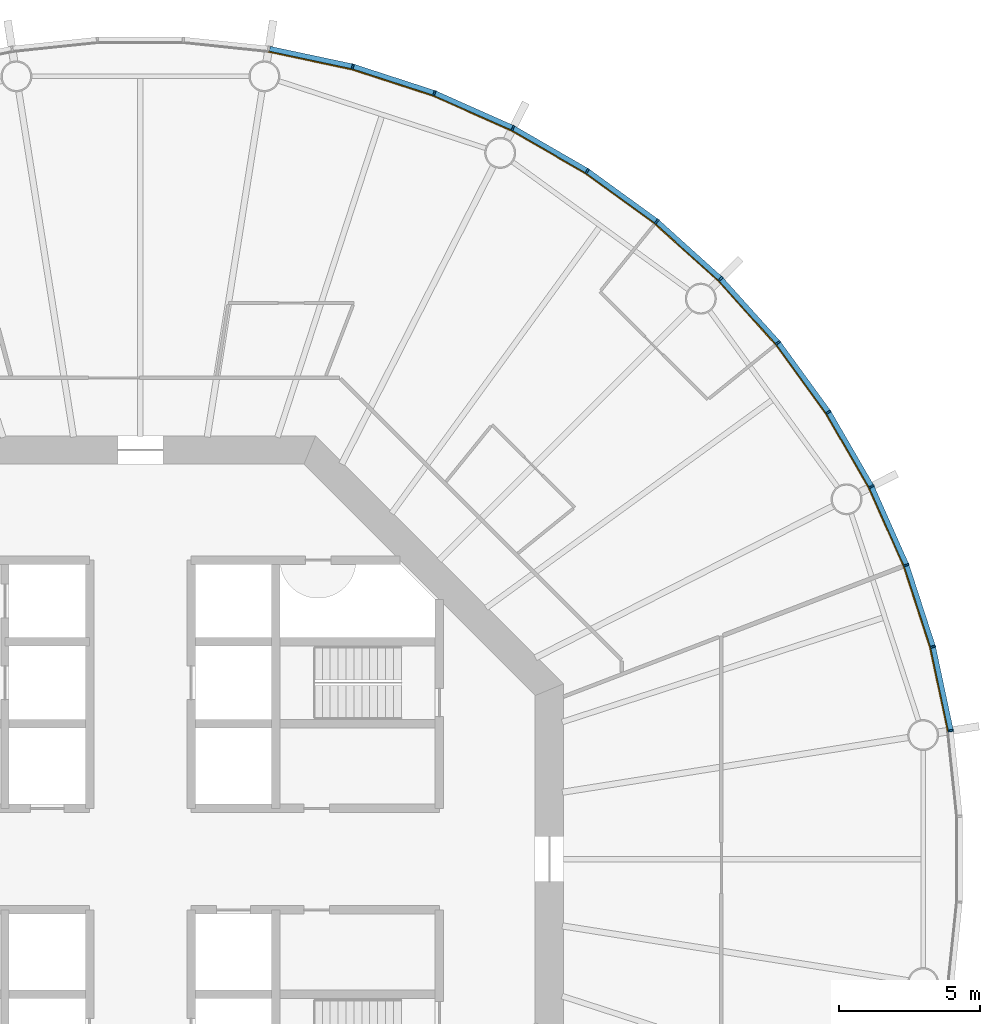
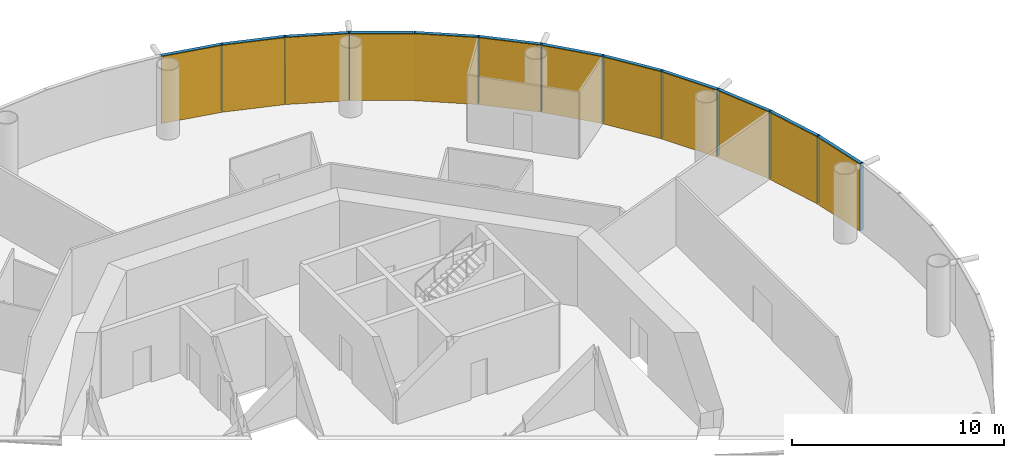
# One storey, part 11 of 12: 24 members, 4 curtain walls.
"""IFC4 building model written with IfcOpenShell, lengths in metres."""

from ifc_helpers import new_model, si_unit, direction, frame, origin, origin_2d, place, context, subcontext, project, spatial, polyline, rectangle, outline, extrude, material, layer, layer_set, material_profile, profile_set, type_object, element, aggregate, save


model = new_model("IFC4")

# Units and contexts
model_context = context("Model", 3, precision=1e-05, world=origin(), true_north=direction((0.0, 1.0)))
body_context = subcontext(model_context, "Body", "Model", "MODEL_VIEW")
ifc_project = project(units=[si_unit("LENGTHUNIT", "METRE"), si_unit("AREAUNIT", "SQUARE_METRE"), si_unit("VOLUMEUNIT", "CUBIC_METRE"), si_unit("PLANEANGLEUNIT", "RADIAN"), si_unit("MASSUNIT", "GRAM", prefix="KILO")], contexts=[model_context])

# Member
ifc_material_1 = material(Name="Anodised aluminium", Category="aluminium")
ifc_material_profile_1 = material_profile(ifc_material_1, rectangle(XDim=0.06494140625, YDim=0.18505859375, at=origin_2d()), Name="Mullion 65 x 185 mm anodised aluminium")
ifc_profile_set_1 = profile_set([ifc_material_profile_1], Name="Anodised aluminium")
member_type_1 = type_object("IfcMemberType", Name="Mullion 65 x 185 mm anodised aluminium", PredefinedType="MULLION", material=ifc_profile_set_1)
site_placement = place(None, origin())
building_placement = place(site_placement, origin())
storey_placement = place(building_placement, frame((0.0, 0.0, 196.0)))
member_1_placement = place(storey_placement, frame((118.734375, 84.551025390625, 0.0), z_axis=(0.0, 0.0, 1.0), x_axis=(-0.15643446504, 0.987688340595, 0.0)))
member_1 = element("IfcMember", 1, at=member_1_placement, type_object=member_type_1, Name="MULLION L45-00", PredefinedType="MULLION", context=body_context, shape_type="SweptSolid", body=[
    extrude(rectangle(XDim=0.06494140625, YDim=0.18505859375, at=origin_2d()), origin(), (0.0, 0.0, 1.0), 3.85009765625),
])

member_2_placement = place(storey_placement, frame((118.101318359375, 87.52978515625, 0.0), z_axis=(0.0, 0.0, 1.0), x_axis=(-0.258819045103, 0.965925826289, 0.0)))
member_2 = element("IfcMember", 2, at=member_2_placement, type_object=member_type_1, Name="MULLION L45-01", PredefinedType="MULLION", context=body_context, shape_type="SweptSolid", body=[
    extrude(rectangle(XDim=0.06494140625, YDim=0.18505859375, at=origin_2d()), origin(), (0.0, 0.0, 1.0), 3.85009765625),
])

member_3_placement = place(storey_placement, frame((117.16015625, 90.42578125, 0.0), z_axis=(0.0, 0.0, 1.0), x_axis=(-0.358367949545, 0.933580426497, 0.0)))
member_3 = element("IfcMember", 3, at=member_3_placement, type_object=member_type_1, Name="MULLION L45-02", PredefinedType="MULLION", context=body_context, shape_type="SweptSolid", body=[
    extrude(rectangle(XDim=0.06494140625, YDim=0.18505859375, at=origin_2d()), origin(), (0.0, 0.0, 1.0), 3.85009765625),
])

member_4_placement = place(storey_placement, frame((115.921630859375, 93.207763671875, 0.0), z_axis=(0.0, 0.0, 1.0), x_axis=(-0.45399049974, 0.891006524188, 0.0)))
member_4 = element("IfcMember", 4, at=member_4_placement, type_object=member_type_1, Name="MULLION L45-03", PredefinedType="MULLION", context=body_context, shape_type="SweptSolid", body=[
    extrude(rectangle(XDim=0.06494140625, YDim=0.18505859375, at=origin_2d()), origin(), (0.0, 0.0, 1.0), 3.85009765625),
])

member_5_placement = place(storey_placement, frame((114.39892578125, 95.844970703125, 0.0), z_axis=(0.0, 0.0, 1.0), x_axis=(-0.544639035015, 0.838670567945, 0.0)))
member_5 = element("IfcMember", 5, at=member_5_placement, type_object=member_type_1, Name="MULLION L45-04", PredefinedType="MULLION", context=body_context, shape_type="SweptSolid", body=[
    extrude(rectangle(XDim=0.06494140625, YDim=0.18505859375, at=origin_2d()), origin(), (0.0, 0.0, 1.0), 3.85009765625),
])

member_6_placement = place(storey_placement, frame((112.609130859375, 98.30859375, 0.0), z_axis=(0.0, 0.0, 1.0), x_axis=(-0.62932039105, 0.777145961457, 0.0)))
member_6 = element("IfcMember", 6, at=member_6_placement, type_object=member_type_1, Name="MULLION L45-05", PredefinedType="MULLION", context=body_context, shape_type="SweptSolid", body=[
    extrude(rectangle(XDim=0.06494140625, YDim=0.18505859375, at=origin_2d()), origin(), (0.0, 0.0, 1.0), 3.85009765625),
])

member_7_placement = place(storey_placement, frame((110.571533203125, 100.571533203125, 0.0), z_axis=(0.0, 0.0, 1.0), x_axis=(-0.707106781187, 0.707106781187, 0.0)))
member_7 = element("IfcMember", 7, at=member_7_placement, type_object=member_type_1, Name="MULLION L45-06", PredefinedType="MULLION", context=body_context, shape_type="SweptSolid", body=[
    extrude(rectangle(XDim=0.06494140625, YDim=0.18505859375, at=origin_2d()), origin(), (0.0, 0.0, 1.0), 3.85009765625),
])

member_8_placement = place(storey_placement, frame((108.30859375, 102.609130859375, 0.0), z_axis=(0.0, 0.0, 1.0), x_axis=(-0.777145961457, 0.62932039105, 0.0)))
member_8 = element("IfcMember", 8, at=member_8_placement, type_object=member_type_1, Name="MULLION L45-07", PredefinedType="MULLION", context=body_context, shape_type="SweptSolid", body=[
    extrude(rectangle(XDim=0.06494140625, YDim=0.18505859375, at=origin_2d()), origin(), (0.0, 0.0, 1.0), 3.85009765625),
])

member_9_placement = place(storey_placement, frame((105.844970703125, 104.39892578125, 0.0), z_axis=(0.0, 0.0, 1.0), x_axis=(-0.838670567945, 0.544639035015, 0.0)))
member_9 = element("IfcMember", 9, at=member_9_placement, type_object=member_type_1, Name="MULLION L45-08", PredefinedType="MULLION", context=body_context, shape_type="SweptSolid", body=[
    extrude(rectangle(XDim=0.06494140625, YDim=0.18505859375, at=origin_2d()), origin(), (0.0, 0.0, 1.0), 3.85009765625),
])

member_10_placement = place(storey_placement, frame((103.207763671875, 105.921630859375, 0.0), z_axis=(0.0, 0.0, 1.0), x_axis=(-0.891006524188, 0.45399049974, 0.0)))
member_10 = element("IfcMember", 10, at=member_10_placement, type_object=member_type_1, Name="MULLION L45-09", PredefinedType="MULLION", context=body_context, shape_type="SweptSolid", body=[
    extrude(rectangle(XDim=0.06494140625, YDim=0.18505859375, at=origin_2d()), origin(), (0.0, 0.0, 1.0), 3.85009765625),
])

member_11_placement = place(storey_placement, frame((100.42578125, 107.16015625, 0.0), z_axis=(0.0, 0.0, 1.0), x_axis=(-0.933580426497, 0.358367949545, 0.0)))
member_11 = element("IfcMember", 11, at=member_11_placement, type_object=member_type_1, Name="MULLION L45-10", PredefinedType="MULLION", context=body_context, shape_type="SweptSolid", body=[
    extrude(rectangle(XDim=0.06494140625, YDim=0.18505859375, at=origin_2d()), origin(), (0.0, 0.0, 1.0), 3.85009765625),
])

member_12_placement = place(storey_placement, frame((97.52978515625, 108.101318359375, 0.0), z_axis=(0.0, 0.0, 1.0), x_axis=(-0.965925826289, 0.258819045103, 0.0)))
member_12 = element("IfcMember", 12, at=member_12_placement, type_object=member_type_1, Name="MULLION L45-11", PredefinedType="MULLION", context=body_context, shape_type="SweptSolid", body=[
    extrude(rectangle(XDim=0.06494140625, YDim=0.18505859375, at=origin_2d()), origin(), (0.0, 0.0, 1.0), 3.85009765625),
])

ifc_material_2 = material(Name="Anodised aluminium", Category="aluminium")
ifc_material_profile_2 = material_profile(ifc_material_2, rectangle(XDim=0.18505859375, YDim=0.175048828125, at=origin_2d()), Name="Transom 175 x 185 mm anodised aluminium")
ifc_profile_set_2 = profile_set([ifc_material_profile_2], Name="Anodised aluminium")
member_type_2 = type_object("IfcMemberType", Name="Transom 175 x 185 mm anodised aluminium", PredefinedType="USERDEFINED", material=ifc_profile_set_2)
member_13_placement = place(storey_placement, frame((118.7265625, 84.587646484375, 3.762451171875), z_axis=(-0.207861704825, 0.97815822425, 0.0), x_axis=(-0.97815822425, -0.207861704825, 0.0)))
member_13 = element("IfcMember", 13, at=member_13_placement, type_object=member_type_2, Name="TRANSOM L45-00", ObjectType="TRANSOM", PredefinedType="USERDEFINED", context=body_context, shape_type="SweptSolid", body=[
    extrude(rectangle(XDim=0.18505859375, YDim=0.175048828125, at=origin_2d()), origin(), (0.0, 0.0, 1.0), 2.970458984375),
])

member_14_placement = place(storey_placement, frame((118.08984375, 87.565185546875, 3.762451171875), z_axis=(-0.30901917063, 0.951055809184, 0.0), x_axis=(-0.951055809184, -0.30901917063, 0.0)))
member_14 = element("IfcMember", 14, at=member_14_placement, type_object=member_type_2, Name="TRANSOM L45-01", ObjectType="TRANSOM", PredefinedType="USERDEFINED", context=body_context, shape_type="SweptSolid", body=[
    extrude(rectangle(XDim=0.18505859375, YDim=0.175048828125, at=origin_2d()), origin(), (0.0, 0.0, 1.0), 2.970703125),
])

member_15_placement = place(storey_placement, frame((117.14501953125, 90.4599609375, 3.762451171875), z_axis=(-0.406687471156, 0.913567348806, 0.0), x_axis=(-0.913567348806, -0.406687471156, 0.0)))
member_15 = element("IfcMember", 15, at=member_15_placement, type_object=member_type_2, Name="TRANSOM L45-02", ObjectType="TRANSOM", PredefinedType="USERDEFINED", context=body_context, shape_type="SweptSolid", body=[
    extrude(rectangle(XDim=0.18505859375, YDim=0.175048828125, at=origin_2d()), origin(), (0.0, 0.0, 1.0), 2.970458984375),
])

member_16_placement = place(storey_placement, frame((115.903076171875, 93.240234375, 3.762451171875), z_axis=(-0.500028367561, 0.866009025146, 0.0), x_axis=(-0.866009025146, -0.500028367561, 0.0)))
member_16 = element("IfcMember", 16, at=member_16_placement, type_object=member_type_2, Name="TRANSOM L45-03", ObjectType="TRANSOM", PredefinedType="USERDEFINED", context=body_context, shape_type="SweptSolid", body=[
    extrude(rectangle(XDim=0.18505859375, YDim=0.175048828125, at=origin_2d()), origin(), (0.0, 0.0, 1.0), 2.970458984375),
])

member_17_placement = place(storey_placement, frame((114.377197265625, 95.875244140625, 3.762451171875), z_axis=(-0.587819781808, 0.808991906087, 0.0), x_axis=(-0.808991906087, -0.587819781808, 0.0)))
member_17 = element("IfcMember", 17, at=member_17_placement, type_object=member_type_2, Name="TRANSOM L45-04", ObjectType="TRANSOM", PredefinedType="USERDEFINED", context=body_context, shape_type="SweptSolid", body=[
    extrude(rectangle(XDim=0.18505859375, YDim=0.175048828125, at=origin_2d()), origin(), (0.0, 0.0, 1.0), 2.970458984375),
])

member_18_placement = place(storey_placement, frame((112.584228515625, 98.33642578125, 3.762451171875), z_axis=(-0.669110027395, 0.743163354343, 0.0), x_axis=(-0.743163354343, -0.669110027395, 0.0)))
member_18 = element("IfcMember", 18, at=member_18_placement, type_object=member_type_2, Name="TRANSOM L45-05", ObjectType="TRANSOM", PredefinedType="USERDEFINED", context=body_context, shape_type="SweptSolid", body=[
    extrude(rectangle(XDim=0.18505859375, YDim=0.175048828125, at=origin_2d()), origin(), (0.0, 0.0, 1.0), 2.970458984375),
])

member_19_placement = place(storey_placement, frame((110.5439453125, 100.5966796875, 3.762451171875), z_axis=(-0.743163354343, 0.669110027395, 0.0), x_axis=(-0.669110027395, -0.743163354343, 0.0)))
member_19 = element("IfcMember", 19, at=member_19_placement, type_object=member_type_2, Name="TRANSOM L45-06", ObjectType="TRANSOM", PredefinedType="USERDEFINED", context=body_context, shape_type="SweptSolid", body=[
    extrude(rectangle(XDim=0.18505859375, YDim=0.175048828125, at=origin_2d()), origin(), (0.0, 0.0, 1.0), 2.970458984375),
])

member_20_placement = place(storey_placement, frame((108.2783203125, 102.631103515625, 3.762451171875), z_axis=(-0.808991906087, 0.587819781808, 0.0), x_axis=(-0.587819781808, -0.808991906087, 0.0)))
member_20 = element("IfcMember", 20, at=member_20_placement, type_object=member_type_2, Name="TRANSOM L45-07", ObjectType="TRANSOM", PredefinedType="USERDEFINED", context=body_context, shape_type="SweptSolid", body=[
    extrude(rectangle(XDim=0.18505859375, YDim=0.175048828125, at=origin_2d()), origin(), (0.0, 0.0, 1.0), 2.970458984375),
])

member_21_placement = place(storey_placement, frame((105.812744140625, 104.417724609375, 3.762451171875), z_axis=(-0.866009025146, 0.500028367561, 0.0), x_axis=(-0.500028367561, -0.866009025146, 0.0)))
member_21 = element("IfcMember", 21, at=member_21_placement, type_object=member_type_2, Name="TRANSOM L45-08", ObjectType="TRANSOM", PredefinedType="USERDEFINED", context=body_context, shape_type="SweptSolid", body=[
    extrude(rectangle(XDim=0.18505859375, YDim=0.175048828125, at=origin_2d()), origin(), (0.0, 0.0, 1.0), 2.970458984375),
])

member_22_placement = place(storey_placement, frame((103.173583984375, 105.93701171875, 3.762451171875), z_axis=(-0.913567348806, 0.406687471156, 0.0), x_axis=(-0.406687471156, -0.913567348806, 0.0)))
member_22 = element("IfcMember", 22, at=member_22_placement, type_object=member_type_2, Name="TRANSOM L45-09", ObjectType="TRANSOM", PredefinedType="USERDEFINED", context=body_context, shape_type="SweptSolid", body=[
    extrude(rectangle(XDim=0.18505859375, YDim=0.175048828125, at=origin_2d()), origin(), (0.0, 0.0, 1.0), 2.970458984375),
])

member_23_placement = place(storey_placement, frame((100.390380859375, 107.171875, 3.762451171875), z_axis=(-0.951055809184, 0.30901917063, 0.0), x_axis=(-0.30901917063, -0.951055809184, 0.0)))
member_23 = element("IfcMember", 23, at=member_23_placement, type_object=member_type_2, Name="TRANSOM L45-10", ObjectType="TRANSOM", PredefinedType="USERDEFINED", context=body_context, shape_type="SweptSolid", body=[
    extrude(rectangle(XDim=0.18505859375, YDim=0.175048828125, at=origin_2d()), origin(), (0.0, 0.0, 1.0), 2.970703125),
])

member_24_placement = place(storey_placement, frame((97.4931640625, 108.109130859375, 3.762451171875), z_axis=(-0.97815822425, 0.207861704825, 0.0), x_axis=(-0.207861704825, -0.97815822425, 0.0)))
member_24 = element("IfcMember", 24, at=member_24_placement, type_object=member_type_2, Name="TRANSOM L45-11", ObjectType="TRANSOM", PredefinedType="USERDEFINED", context=body_context, shape_type="SweptSolid", body=[
    extrude(rectangle(XDim=0.18505859375, YDim=0.175048828125, at=origin_2d()), origin(), (0.0, 0.0, 1.0), 2.970458984375),
])

# Site, building, storey
site = spatial("IfcSite", under=ifc_project, at=site_placement, CompositionType="ELEMENT")
building = spatial("IfcBuilding", under=site, at=building_placement, Name="Entoto Ring Tower", CompositionType="ELEMENT")
storey = spatial("IfcBuildingStorey", under=building, at=storey_placement, Name="L45", CompositionType="ELEMENT", Elevation=196.0)

# Curtain wall
ifc_material_3 = material(Name="Clear low-iron glass", Category="glass")
ifc_layer = layer(ifc_material_3, 0.033935546875)
ifc_layer_set = layer_set([ifc_layer], Name="Clear low-iron glass")
curtain_wall_type = type_object("IfcCurtainWallType", Name="Curtain wall system CW3 glazing 34 mm", PredefinedType="NOTDEFINED", material=ifc_layer_set)
curtain_wall_1_placement = place(storey_placement, origin())
curtain_wall_1 = element("IfcCurtainWall", 25, at=curtain_wall_1_placement, inside=storey, type_object=curtain_wall_type, Name="CW3 L45-01", PredefinedType="NOTDEFINED", context=body_context, shape_type="SweptSolid", body=[
    extrude(outline(polyline([(118.64306640625, 84.53662109375), (118.011962890625, 87.505859375), (117.07373046875, 90.392578125), (115.839111328125, 93.165771484375), (115.808837890625, 93.150146484375), (117.0419921875, 90.38037109375), (117.97900390625, 87.496826171875), (118.609375, 84.53125), (118.64306640625, 84.53662109375)])), origin(), (0.0, 0.0, 1.0), 3.85009765625),
])

aggregate(curtain_wall_1, [member_1, member_2, member_3, member_13, member_14, member_15])

curtain_wall_2_placement = place(storey_placement, origin())
curtain_wall_2 = element("IfcCurtainWall", 26, at=curtain_wall_2_placement, inside=storey, type_object=curtain_wall_type, Name="CW3 L45-02", PredefinedType="NOTDEFINED", context=body_context, shape_type="SweptSolid", body=[
    extrude(outline(polyline([(115.839111328125, 93.165771484375), (114.321533203125, 95.79443359375), (112.537353515625, 98.250244140625), (110.506103515625, 100.506103515625), (110.48193359375, 100.48193359375), (112.5107421875, 98.228759765625), (114.29296875, 95.77587890625), (115.808837890625, 93.150146484375), (115.839111328125, 93.165771484375)])), origin(), (0.0, 0.0, 1.0), 3.85009765625),
])

aggregate(curtain_wall_2, [member_4, member_5, member_6, member_16, member_17, member_18])

curtain_wall_3_placement = place(storey_placement, origin())
curtain_wall_3 = element("IfcCurtainWall", 27, at=curtain_wall_3_placement, inside=storey, type_object=curtain_wall_type, Name="CW3 L45-03", PredefinedType="NOTDEFINED", context=body_context, shape_type="SweptSolid", body=[
    extrude(outline(polyline([(110.506103515625, 100.506103515625), (108.250244140625, 102.537353515625), (105.79443359375, 104.321533203125), (103.165771484375, 105.839111328125), (103.150146484375, 105.808837890625), (105.77587890625, 104.29296875), (108.228759765625, 102.5107421875), (110.48193359375, 100.48193359375), (110.506103515625, 100.506103515625)])), origin(), (0.0, 0.0, 1.0), 3.85009765625),
])

aggregate(curtain_wall_3, [member_7, member_8, member_9, member_19, member_20, member_21])

curtain_wall_4_placement = place(storey_placement, origin())
curtain_wall_4 = element("IfcCurtainWall", 28, at=curtain_wall_4_placement, inside=storey, type_object=curtain_wall_type, Name="CW3 L45-04", PredefinedType="NOTDEFINED", context=body_context, shape_type="SweptSolid", body=[
    extrude(outline(polyline([(103.165771484375, 105.839111328125), (100.392578125, 107.07373046875), (97.505859375, 108.011962890625), (94.53662109375, 108.64306640625), (94.53125, 108.609375), (97.496826171875, 107.97900390625), (100.38037109375, 107.0419921875), (103.150146484375, 105.808837890625), (103.165771484375, 105.839111328125)])), origin(), (0.0, 0.0, 1.0), 3.85009765625),
])

aggregate(curtain_wall_4, [member_10, member_11, member_12, member_22, member_23, member_24])

save(model, "model.ifc")
